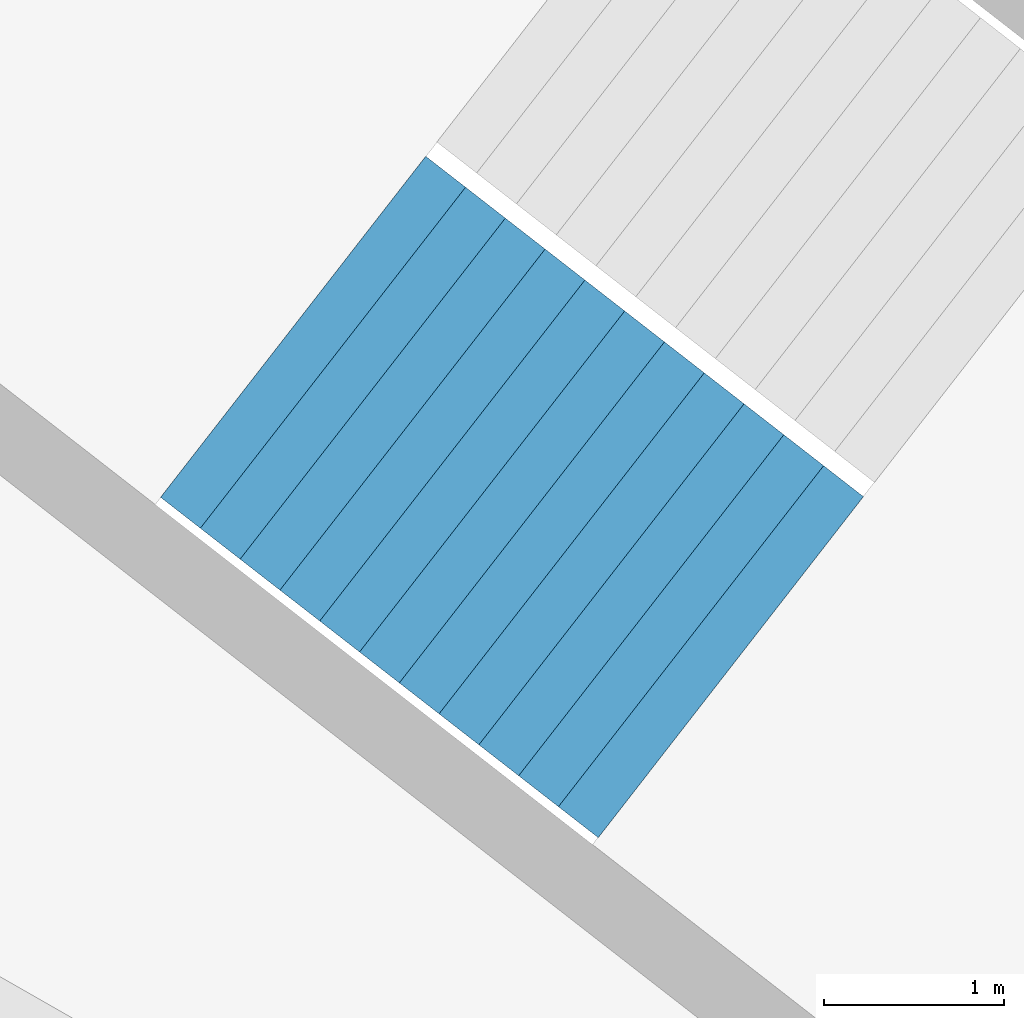
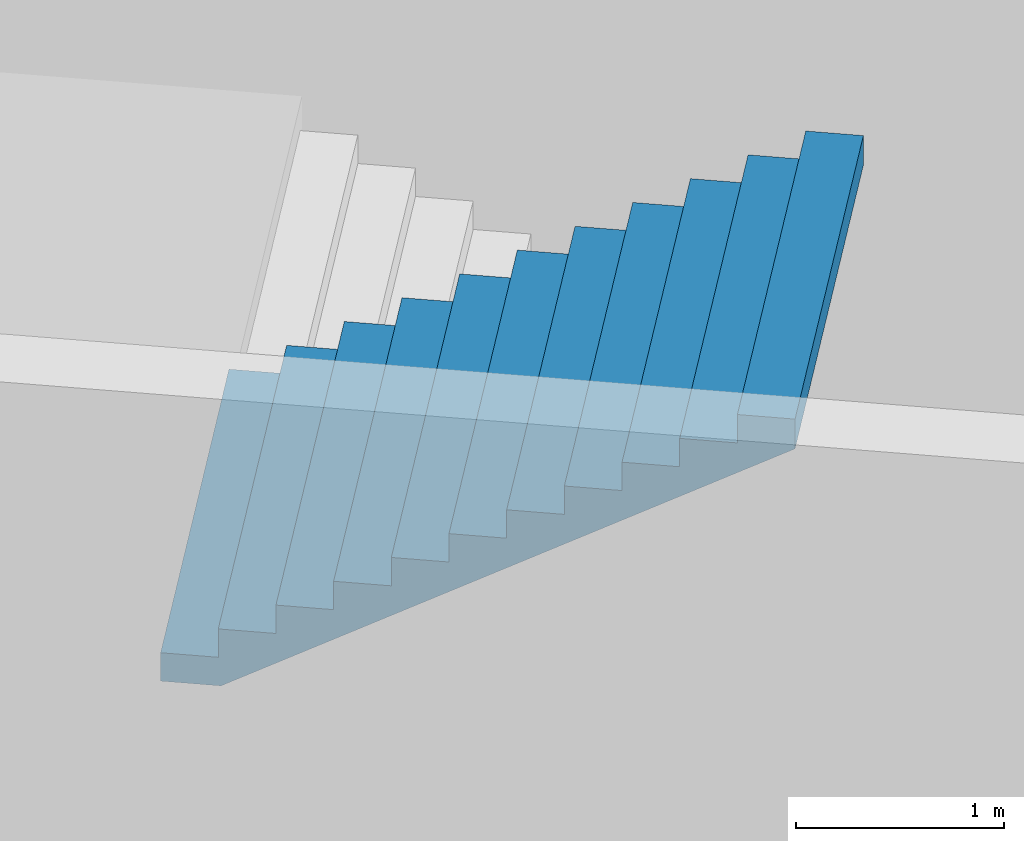
# One storey, part 39 of 74: 1 stair flight, 1 element without a shape of its own.
"""IFC4 building model written with IfcOpenShell, lengths in metres."""

import ifcopenshell
import ifcopenshell.guid

model = None  # the IFC model being written
_history = None  # IfcOwnerHistory: only IFC2X3 demands one
_inside = {}  # id of a spatial element -> (the spatial element, [elements in it])
_under = {}  # id of a project, library or spatial element -> (it, [spatial elements below it])
_declared = {}  # id of a project -> (the project, [libraries it declares])
_typed = {}  # id of a type object -> (the type object, [elements of that type])
_made_of = {}  # id of a material, layer set ... -> (it, [elements and type objects made of it])


def new_model(schema):
    """Start an empty IFC model of exactly this schema.

    Asked for "IFC4X3", IfcOpenShell would pick the latest addendum, in which some entities
    have other attributes; the version numbers below select the first issue.
    IFC2X3 requires an IfcOwnerHistory on every rooted entity: one is made here for all.
    """
    global model, _history
    if schema == "IFC4X3":
        model = ifcopenshell.file(schema_version=(4, 3, 0, 0))
    else:
        model = ifcopenshell.file(schema=schema)
    _inside.clear()
    _under.clear()
    _declared.clear()
    _typed.clear()
    _made_of.clear()
    _history = None
    if model.schema == "IFC2X3":
        org = make("IfcOrganization", Name="unknown")
        user = make(
            "IfcPersonAndOrganization",
            ThePerson=make("IfcPerson", FamilyName="unknown"),
            TheOrganization=org,
        )
        app = make(
            "IfcApplication",
            ApplicationDeveloper=org,
            Version="unknown",
            ApplicationFullName="unknown",
            ApplicationIdentifier="unknown",
        )
        _history = make(
            "IfcOwnerHistory",
            OwningUser=user,
            OwningApplication=app,
            ChangeAction="ADDED",
            CreationDate=0,
        )
    return model


def make(cls, **values):
    """One entity of the class cls with the attributes given. An attribute that is None is left unset."""
    return model.create_entity(
        cls, **{name: value for name, value in values.items() if value is not None}
    )


def rooted(cls, **values):
    """An entity with a GlobalId (a new one), such as an element, a storey or a relation."""
    return make(cls, GlobalId=ifcopenshell.guid.new(), OwnerHistory=_history, **values)


def si_unit(unit_type, name, prefix=None):
    """IfcSIUnit, for example si_unit("LENGTHUNIT", "METRE", prefix="MILLI")."""
    return make("IfcSIUnit", UnitType=unit_type, Prefix=prefix, Name=name)


def assignment(units):
    """IfcUnitAssignment: the units of a project."""
    return None if units is None else make("IfcUnitAssignment", Units=units)


def point(xyz):
    """IfcCartesianPoint."""
    return None if xyz is None else make("IfcCartesianPoint", Coordinates=xyz)


def direction(xyz):
    """IfcDirection."""
    return None if xyz is None else make("IfcDirection", DirectionRatios=xyz)


def frame(location, z_axis=None, x_axis=None):
    """IfcAxis2Placement3D, a coordinate frame: its origin and axes. An axis left out is left unset."""
    return make(
        "IfcAxis2Placement3D",
        Location=point(location),
        Axis=direction(z_axis),
        RefDirection=direction(x_axis),
    )


def origin():
    """The frame at (0, 0, 0) with its axes left unset."""
    return frame((0.0, 0.0, 0.0))


def place(relative_to, where):
    """IfcLocalPlacement: puts the frame where relative to a parent placement (None: the world)."""
    return make(
        "IfcLocalPlacement", PlacementRelTo=relative_to, RelativePlacement=where
    )


def context(
    kind, dimensions, precision=None, world=None, true_north=None, identifier=None
):
    """IfcGeometricRepresentationContext, for example the 3D "Model" context."""
    return make(
        "IfcGeometricRepresentationContext",
        ContextIdentifier=identifier,
        ContextType=kind,
        CoordinateSpaceDimension=dimensions,
        Precision=precision,
        WorldCoordinateSystem=world,
        TrueNorth=true_north,
    )


def subcontext(parent, identifier, kind, view, scale=None):
    """IfcGeometricRepresentationSubContext, for example "Body" below "Model"."""
    return make(
        "IfcGeometricRepresentationSubContext",
        ContextIdentifier=identifier,
        ContextType=kind,
        ParentContext=parent,
        TargetScale=scale,
        TargetView=view,
    )


def project(units=None, contexts=None):
    """IfcProject with its units and contexts."""
    return rooted(
        "IfcProject",
        Name="project",
        RepresentationContexts=contexts,
        UnitsInContext=assignment(units),
    )


def spatial(cls, under=None, at=None, **own):
    """A site, building, storey or space (cls), placed at a placement, below another one or the project."""
    s = rooted(cls, ObjectPlacement=at, **own)
    if under is not None:
        _under.setdefault(under.id(), (under, []))[1].append(s)
    return s


def point_list(points):
    """IfcCartesianPointList2D or 3D."""
    cls = (
        "IfcCartesianPointList2D" if len(points[0]) == 2 else "IfcCartesianPointList3D"
    )
    return make(cls, CoordList=points)


def triangles(points, corners, closed=None, point_numbers=None):
    """IfcTriangulatedFaceSet: each triangle names its three corners, points numbered from 1."""
    return make(
        "IfcTriangulatedFaceSet",
        Coordinates=point_list(points),
        Closed=closed,
        CoordIndex=corners,
        PnIndex=point_numbers,
    )


def shape(context_of_items, identifier, shape_type, items):
    """IfcShapeRepresentation: the items that make up one representation, for example the "Body"."""
    return make(
        "IfcShapeRepresentation",
        ContextOfItems=context_of_items,
        RepresentationIdentifier=identifier,
        RepresentationType=shape_type,
        Items=items,
    )


def material(Name=None, Category=None):
    """IfcMaterial."""
    return make("IfcMaterial", Name=Name, Category=Category)


def made_of(thing, what):
    """Note that an element or type object is made of a material, layer set ...; save() writes the relation."""
    if what is not None:
        _made_of.setdefault(what.id(), (what, []))[1].append(thing)
    return thing


def type_object(cls, material=None, **own):
    """A type object (cls), such as IfcWallType, which elements share."""
    return made_of(rooted(cls, **own), material)


def element(
    cls,
    number,
    at=None,
    inside=None,
    cuts=None,
    type_object=None,
    material=None,
    context=None,
    identifier="Body",
    shape_type=None,
    held_by="IfcProductDefinitionShape",
    body=None,
    shapes=None,
    **own,
):
    """One element of the class cls, such as IfcWall. Its Tag is "e" and its number.

    at: its placement. inside: the storey or other place that contains it. cuts: it is an
    opening in that element (IfcRelVoidsElement). A single representation is given by context,
    identifier, shape_type and body (its items); several are given by shapes. held_by: the class
    of the entity that holds the representations. save() writes the other relations.
    """
    e = rooted(cls, Tag="e%d" % number, ObjectPlacement=at, **own)
    if body is not None:
        shapes = [shape(context, identifier, shape_type, body)]
    if shapes is not None:
        e.Representation = make(held_by, Representations=shapes)
    if inside is not None:
        _inside.setdefault(inside.id(), (inside, []))[1].append(e)
    if cuts is not None:
        rooted(
            "IfcRelVoidsElement", RelatingBuildingElement=cuts, RelatedOpeningElement=e
        )
    if type_object is not None:
        _typed.setdefault(type_object.id(), (type_object, []))[1].append(e)
    return made_of(e, material)


def aggregate(whole, parts):
    """IfcRelAggregates: a whole, such as a stair, and the parts it consists of."""
    return rooted("IfcRelAggregates", RelatingObject=whole, RelatedObjects=parts)


def save(model, path):
    """Write the relations noted so far, then the file.

    IfcRelAggregates (storeys below a building ...), IfcRelContainedInSpatialStructure (elements
    in a storey), IfcRelDefinesByType, IfcRelAssociatesMaterial and IfcRelDeclares: one each for
    every whole, place, type object, material and project.
    """
    for whole, parts in _under.values():
        aggregate(whole, parts)
    for where, things in _inside.values():
        rooted(
            "IfcRelContainedInSpatialStructure",
            RelatedElements=things,
            RelatingStructure=where,
        )
    for kind, things in _typed.values():
        rooted("IfcRelDefinesByType", RelatedObjects=things, RelatingType=kind)
    for what, things in _made_of.values():
        rooted("IfcRelAssociatesMaterial", RelatedObjects=things, RelatingMaterial=what)
    for by, libraries in _declared.values():
        rooted("IfcRelDeclares", RelatingContext=by, RelatedDefinitions=libraries)
    model.write(path)


model = new_model("IFC4")

# Units and contexts
model_context = context("Model", 3, precision=1e-05, world=origin(), true_north=direction((0.0, 1.0)))
body_context = subcontext(model_context, "Body", "Model", "MODEL_VIEW")
ifc_project = project(units=[si_unit("LENGTHUNIT", "METRE"), si_unit("AREAUNIT", "SQUARE_METRE"), si_unit("VOLUMEUNIT", "CUBIC_METRE"), si_unit("PLANEANGLEUNIT", "RADIAN"), si_unit("MASSUNIT", "GRAM", prefix="KILO")], contexts=[model_context])

# Site, building, storey
site_placement = place(None, origin())
site = spatial("IfcSite", under=ifc_project, at=site_placement, CompositionType="ELEMENT")
building_placement = place(site_placement, origin())
building = spatial("IfcBuilding", under=site, at=building_placement, Name="Lantaw Convention Tower", CompositionType="ELEMENT")
storey_placement = place(building_placement, frame((0.0, 0.0, 6.5)))
storey = spatial("IfcBuildingStorey", under=building, at=storey_placement, Name="L01", CompositionType="ELEMENT", Elevation=6.5)

# Stair, stair flight
ifc_material = material(Name="Concrete C35/45", Category="concrete")
stair_type = type_object("IfcStairType", Name="Exit stair 2400 riser 166.67 in 4 flights", PredefinedType="HALF_TURN_STAIR", material=ifc_material)
stair_placement = place(storey_placement, origin())
stair = element("IfcStair", 1, at=stair_placement, inside=storey, type_object=stair_type, Name="Podium exit stair P7 L01", PredefinedType="HALF_TURN_STAIR")
stair_flight_type = type_object("IfcStairFlightType", Name="Stair flight 2400 riser 166.67", PredefinedType="STRAIGHT", material=ifc_material)
stair_flight_placement = place(storey_placement, frame((-31.92578125, 23.245361328125, 6.0), z_axis=(0.0, 0.0, 1.0), x_axis=(0.789378829664, -0.613906396186, 0.0)))
stair_flight = element("IfcStairFlight", 2, at=stair_flight_placement, type_object=stair_flight_type, Name="P7 flight 4", NumberOfRisers=12, NumberOfTreads=11, PredefinedType="STRAIGHT", RiserHeight=0.166666667, TreadLength=0.28, context=body_context, shape_type="Tessellation", body=[
    triangles([(0.0, 1.199951171875, 0.0), (0.0, 1.199951171875, 0.166666667), (0.28, 1.199951171875, 0.0), (0.28, 1.199951171875, 0.166666667), (0.28, 1.199951171875, 0.333333334), (0.29307345806906726, 1.199951171875, 0.0), (0.29307345806906726, 1.199951171875, 0.333333334), (0.56, 1.199951171875, 0.15888484670522965), (0.56, 1.199951171875, 0.333333334), (0.56, 1.199951171875, 0.500000001), (0.8400000000000001, 1.199951171875, 0.3255515137052296), (0.8400000000000001, 1.199951171875, 0.500000001), (0.8400000000000001, 1.199951171875, 0.666666668), (1.12, 1.199951171875, 0.4922181807052296), (1.12, 1.199951171875, 0.666666668), (1.12, 1.199951171875, 0.833333335), (1.4000000000000001, 1.199951171875, 0.6588848477052296), (1.4000000000000001, 1.199951171875, 0.833333335), (1.4000000000000001, 1.199951171875, 1.000000002), (1.6800000000000002, 1.199951171875, 0.8255515147052296), (1.6800000000000002, 1.199951171875, 1.000000002), (1.6800000000000002, 1.199951171875, 1.166666669), (1.9600000000000002, 1.199951171875, 0.9922181817052296), (1.9600000000000002, 1.199951171875, 1.166666669), (1.9600000000000002, 1.199951171875, 1.333333336), (2.24, 1.199951171875, 1.1588848487052295), (2.24, 1.199951171875, 1.333333336), (2.24, 1.199951171875, 1.5000000029999998), (2.5200000000000005, 1.199951171875, 1.3255515157052296), (2.5200000000000005, 1.199951171875, 1.5000000029999998), (2.5200000000000005, 1.199951171875, 1.66666667), (2.8000000000000003, 1.199951171875, 1.4922181827052294), (2.8000000000000003, 1.199951171875, 1.66666667), (2.8000000000000003, 1.199951171875, 1.833333337), (3.08, 1.199951171875, 1.6588848497052293), (3.08, 1.199951171875, 1.833333337), (0.0, -1.199951171875, 0.0), (0.0, -1.199951171875, 0.166666667), (0.28, -1.199951171875, 0.0), (0.28, -1.199951171875, 0.166666667), (0.28, -1.199951171875, 0.333333334), (0.29307345806906726, -1.199951171875, 0.0), (0.29307345806906726, -1.199951171875, 0.333333334), (0.56, -1.199951171875, 0.15888484670522965), (0.56, -1.199951171875, 0.333333334), (0.56, -1.199951171875, 0.500000001), (0.8400000000000001, -1.199951171875, 0.3255515137052296), (0.8400000000000001, -1.199951171875, 0.500000001), (0.8400000000000001, -1.199951171875, 0.666666668), (1.12, -1.199951171875, 0.4922181807052296), (1.12, -1.199951171875, 0.666666668), (1.12, -1.199951171875, 0.833333335), (1.4000000000000001, -1.199951171875, 0.6588848477052296), (1.4000000000000001, -1.199951171875, 0.833333335), (1.4000000000000001, -1.199951171875, 1.000000002), (1.6800000000000002, -1.199951171875, 0.8255515147052296), (1.6800000000000002, -1.199951171875, 1.000000002), (1.6800000000000002, -1.199951171875, 1.166666669), (1.9600000000000002, -1.199951171875, 0.9922181817052296), (1.9600000000000002, -1.199951171875, 1.166666669), (1.9600000000000002, -1.199951171875, 1.333333336), (2.24, -1.199951171875, 1.1588848487052295), (2.24, -1.199951171875, 1.333333336), (2.24, -1.199951171875, 1.5000000029999998), (2.5200000000000005, -1.199951171875, 1.3255515157052296), (2.5200000000000005, -1.199951171875, 1.5000000029999998), (2.5200000000000005, -1.199951171875, 1.66666667), (2.8000000000000003, -1.199951171875, 1.4922181827052294), (2.8000000000000003, -1.199951171875, 1.66666667), (2.8000000000000003, -1.199951171875, 1.833333337), (3.08, -1.199951171875, 1.6588848497052293), (3.08, -1.199951171875, 1.833333337), (0.0, 0.239990234375, 0.166666667), (0.0, 0.239990234375, 0.0), (0.0, 0.1199951171875, 0.166666667), (0.0, 0.1199951171875, 0.0), (0.0, 0.0, 0.166666667), (0.0, 0.0, 0.0), (0.0, -0.1199951171875, 0.166666667), (0.0, -0.1199951171875, 0.0), (0.0, -0.239990234375, 0.166666667), (0.0, -0.239990234375, 0.0), (0.28, 0.239990234375, 0.333333334), (0.28, 0.239990234375, 0.166666667), (0.28, 0.1199951171875, 0.333333334), (0.28, 0.1199951171875, 0.166666667), (0.28, 0.0, 0.333333334), (0.28, 0.0, 0.166666667), (0.28, -0.1199951171875, 0.333333334), (0.28, -0.1199951171875, 0.166666667), (0.28, -0.239990234375, 0.333333334), (0.28, -0.239990234375, 0.166666667), (0.56, 0.239990234375, 0.500000001), (0.56, 0.239990234375, 0.333333334), (0.56, 0.1199951171875, 0.500000001), (0.56, 0.1199951171875, 0.333333334), (0.56, 0.0, 0.500000001), (0.56, 0.0, 0.333333334), (0.56, -0.1199951171875, 0.500000001), (0.56, -0.1199951171875, 0.333333334), (0.56, -0.239990234375, 0.500000001), (0.56, -0.239990234375, 0.333333334), (0.8400000000000001, 0.239990234375, 0.666666668), (0.8400000000000001, 0.239990234375, 0.500000001), (0.8400000000000001, 0.1199951171875, 0.666666668), (0.8400000000000001, 0.1199951171875, 0.500000001), (0.8400000000000001, 0.0, 0.666666668), (0.8400000000000001, 0.0, 0.500000001), (0.8400000000000001, -0.1199951171875, 0.666666668), (0.8400000000000001, -0.1199951171875, 0.500000001), (0.8400000000000001, -0.239990234375, 0.666666668), (0.8400000000000001, -0.239990234375, 0.500000001), (1.12, 0.239990234375, 0.833333335), (1.12, 0.239990234375, 0.666666668), (1.12, 0.1199951171875, 0.833333335), (1.12, 0.1199951171875, 0.666666668), (1.12, 0.0, 0.833333335), (1.12, 0.0, 0.666666668), (1.12, -0.1199951171875, 0.833333335), (1.12, -0.1199951171875, 0.666666668), (1.12, -0.239990234375, 0.833333335), (1.12, -0.239990234375, 0.666666668), (1.4000000000000001, 0.239990234375, 1.000000002), (1.4000000000000001, 0.239990234375, 0.833333335), (1.4000000000000001, 0.1199951171875, 1.000000002), (1.4000000000000001, 0.1199951171875, 0.833333335), (1.4000000000000001, 0.0, 1.000000002), (1.4000000000000001, 0.0, 0.833333335), (1.4000000000000001, -0.1199951171875, 1.000000002), (1.4000000000000001, -0.1199951171875, 0.833333335), (1.4000000000000001, -0.239990234375, 1.000000002), (1.4000000000000001, -0.239990234375, 0.833333335), (1.6800000000000002, 0.239990234375, 1.166666669), (1.6800000000000002, 0.239990234375, 1.000000002), (1.6800000000000002, 0.1199951171875, 1.166666669), (1.6800000000000002, 0.1199951171875, 1.000000002), (1.6800000000000002, 0.0, 1.166666669), (1.6800000000000002, 0.0, 1.000000002), (1.6800000000000002, -0.1199951171875, 1.166666669), (1.6800000000000002, -0.1199951171875, 1.000000002), (1.6800000000000002, -0.239990234375, 1.166666669), (1.6800000000000002, -0.239990234375, 1.000000002), (1.9600000000000002, 0.239990234375, 1.333333336), (1.9600000000000002, 0.239990234375, 1.166666669), (1.9600000000000002, 0.1199951171875, 1.333333336), (1.9600000000000002, 0.1199951171875, 1.166666669), (1.9600000000000002, 0.0, 1.333333336), (1.9600000000000002, 0.0, 1.166666669), (1.9600000000000002, -0.1199951171875, 1.333333336), (1.9600000000000002, -0.1199951171875, 1.166666669), (1.9600000000000002, -0.239990234375, 1.333333336), (1.9600000000000002, -0.239990234375, 1.166666669), (2.24, 0.239990234375, 1.5000000029999998), (2.24, 0.239990234375, 1.333333336), (2.24, 0.1199951171875, 1.5000000029999998), (2.24, 0.1199951171875, 1.333333336), (2.24, 0.0, 1.5000000029999998), (2.24, 0.0, 1.333333336), (2.24, -0.1199951171875, 1.5000000029999998), (2.24, -0.1199951171875, 1.333333336), (2.24, -0.239990234375, 1.5000000029999998), (2.24, -0.239990234375, 1.333333336), (2.5200000000000005, 0.239990234375, 1.66666667), (2.5200000000000005, 0.239990234375, 1.5000000029999998), (2.5200000000000005, 0.1199951171875, 1.66666667), (2.5200000000000005, 0.1199951171875, 1.5000000029999998), (2.5200000000000005, 0.0, 1.66666667), (2.5200000000000005, 0.0, 1.5000000029999998), (2.5200000000000005, -0.1199951171875, 1.66666667), (2.5200000000000005, -0.1199951171875, 1.5000000029999998), (2.5200000000000005, -0.239990234375, 1.66666667), (2.5200000000000005, -0.239990234375, 1.5000000029999998), (2.8000000000000003, 0.239990234375, 1.833333337), (2.8000000000000003, 0.239990234375, 1.66666667), (2.8000000000000003, 0.1199951171875, 1.833333337), (2.8000000000000003, 0.1199951171875, 1.66666667), (2.8000000000000003, 0.0, 1.833333337), (2.8000000000000003, 0.0, 1.66666667), (2.8000000000000003, -0.1199951171875, 1.833333337), (2.8000000000000003, -0.1199951171875, 1.66666667), (2.8000000000000003, -0.239990234375, 1.833333337), (2.8000000000000003, -0.239990234375, 1.66666667), (0.29307345806906726, 0.239990234375, 0.333333334), (0.29307345806906726, 0.1199951171875, 0.333333334), (0.29307345806906726, 0.0, 0.333333334), (0.29307345806906726, -0.1199951171875, 0.333333334), (0.29307345806906726, -0.239990234375, 0.333333334), (3.08, 0.239990234375, 1.833333337), (3.08, 0.1199951171875, 1.833333337), (3.08, 0.0, 1.833333337), (3.08, -0.1199951171875, 1.833333337), (3.08, -0.239990234375, 1.833333337), (3.08, 0.239990234375, 1.6588848497052293), (3.08, 0.1199951171875, 1.6588848497052293), (3.08, 0.0, 1.6588848497052293), (3.08, -0.1199951171875, 1.6588848497052293), (3.08, -0.239990234375, 1.6588848497052293), (2.8000000000000003, 0.239990234375, 1.4922181827052294), (2.8000000000000003, 0.1199951171875, 1.4922181827052294), (2.8000000000000003, 0.0, 1.4922181827052294), (2.8000000000000003, -0.1199951171875, 1.4922181827052294), (2.8000000000000003, -0.239990234375, 1.4922181827052294), (2.5200000000000005, 0.239990234375, 1.3255515157052296), (2.5200000000000005, 0.1199951171875, 1.3255515157052296), (2.5200000000000005, 0.0, 1.3255515157052296), (2.5200000000000005, -0.1199951171875, 1.3255515157052296), (2.5200000000000005, -0.239990234375, 1.3255515157052296), (2.24, 0.239990234375, 1.1588848487052295), (2.24, 0.1199951171875, 1.1588848487052295), (2.24, 0.0, 1.1588848487052295), (2.24, -0.1199951171875, 1.1588848487052295), (2.24, -0.239990234375, 1.1588848487052295), (1.9600000000000002, 0.239990234375, 0.9922181817052296), (1.9600000000000002, 0.1199951171875, 0.9922181817052296), (1.9600000000000002, 0.0, 0.9922181817052296), (1.9600000000000002, -0.1199951171875, 0.9922181817052296), (1.9600000000000002, -0.239990234375, 0.9922181817052296), (1.6800000000000002, 0.239990234375, 0.8255515147052296), (1.6800000000000002, 0.1199951171875, 0.8255515147052296), (1.6800000000000002, 0.0, 0.8255515147052296), (1.6800000000000002, -0.1199951171875, 0.8255515147052296), (1.6800000000000002, -0.239990234375, 0.8255515147052296), (1.4000000000000001, 0.239990234375, 0.6588848477052296), (1.4000000000000001, 0.1199951171875, 0.6588848477052296), (1.4000000000000001, 0.0, 0.6588848477052296), (1.4000000000000001, -0.1199951171875, 0.6588848477052296), (1.4000000000000001, -0.239990234375, 0.6588848477052296), (1.12, 0.239990234375, 0.4922181807052296), (1.12, 0.1199951171875, 0.4922181807052296), (1.12, 0.0, 0.4922181807052296), (1.12, -0.1199951171875, 0.4922181807052296), (1.12, -0.239990234375, 0.4922181807052296), (0.8400000000000001, 0.239990234375, 0.3255515137052296), (0.8400000000000001, 0.1199951171875, 0.3255515137052296), (0.8400000000000001, 0.0, 0.3255515137052296), (0.8400000000000001, -0.1199951171875, 0.3255515137052296), (0.8400000000000001, -0.239990234375, 0.3255515137052296), (0.56, 0.239990234375, 0.15888484670522965), (0.56, 0.1199951171875, 0.15888484670522965), (0.56, 0.0, 0.15888484670522965), (0.56, -0.1199951171875, 0.15888484670522965), (0.56, -0.239990234375, 0.15888484670522965), (0.29307345806906726, 0.239990234375, 0.0), (0.29307345806906726, 0.1199951171875, 0.0), (0.29307345806906726, 0.0, 0.0), (0.29307345806906726, -0.1199951171875, 0.0), (0.29307345806906726, -0.239990234375, 0.0), (0.28, 0.239990234375, 0.0), (0.28, 0.1199951171875, 0.0), (0.28, 0.0, 0.0), (0.28, -0.1199951171875, 0.0), (0.28, -0.239990234375, 0.0)], [[1, 4, 3], [1, 2, 4], [3, 4, 6], [4, 7, 6], [4, 5, 7], [6, 9, 8], [6, 7, 9], [8, 9, 11], [9, 12, 11], [9, 10, 12], [11, 12, 14], [12, 15, 14], [12, 13, 15], [14, 15, 17], [15, 18, 17], [15, 16, 18], [17, 18, 20], [18, 21, 20], [18, 19, 21], [20, 21, 23], [21, 24, 23], [21, 22, 24], [23, 24, 26], [24, 27, 26], [24, 25, 27], [26, 27, 29], [27, 30, 29], [27, 28, 30], [29, 30, 32], [30, 33, 32], [30, 31, 33], [32, 33, 35], [33, 36, 35], [33, 34, 36], [37, 39, 40], [37, 40, 38], [39, 42, 40], [40, 42, 43], [40, 43, 41], [42, 44, 45], [42, 45, 43], [44, 47, 45], [45, 47, 48], [45, 48, 46], [47, 50, 48], [48, 50, 51], [48, 51, 49], [50, 53, 51], [51, 53, 54], [51, 54, 52], [53, 56, 54], [54, 56, 57], [54, 57, 55], [56, 59, 57], [57, 59, 60], [57, 60, 58], [59, 62, 60], [60, 62, 63], [60, 63, 61], [62, 65, 63], [63, 65, 66], [63, 66, 64], [65, 68, 66], [66, 68, 69], [66, 69, 67], [68, 71, 69], [69, 71, 72], [69, 72, 70], [1, 73, 2], [1, 74, 73], [74, 75, 73], [74, 76, 75], [76, 77, 75], [76, 78, 77], [78, 79, 77], [78, 80, 79], [80, 81, 79], [80, 82, 81], [82, 38, 81], [82, 37, 38], [4, 83, 5], [4, 84, 83], [84, 85, 83], [84, 86, 85], [86, 87, 85], [86, 88, 87], [88, 89, 87], [88, 90, 89], [90, 91, 89], [90, 92, 91], [92, 41, 91], [92, 40, 41], [9, 93, 10], [9, 94, 93], [94, 95, 93], [94, 96, 95], [96, 97, 95], [96, 98, 97], [98, 99, 97], [98, 100, 99], [100, 101, 99], [100, 102, 101], [102, 46, 101], [102, 45, 46], [12, 103, 13], [12, 104, 103], [104, 105, 103], [104, 106, 105], [106, 107, 105], [106, 108, 107], [108, 109, 107], [108, 110, 109], [110, 111, 109], [110, 112, 111], [112, 49, 111], [112, 48, 49], [15, 113, 16], [15, 114, 113], [114, 115, 113], [114, 116, 115], [116, 117, 115], [116, 118, 117], [118, 119, 117], [118, 120, 119], [120, 121, 119], [120, 122, 121], [122, 52, 121], [122, 51, 52], [18, 123, 19], [18, 124, 123], [124, 125, 123], [124, 126, 125], [126, 127, 125], [126, 128, 127], [128, 129, 127], [128, 130, 129], [130, 131, 129], [130, 132, 131], [132, 55, 131], [132, 54, 55], [21, 133, 22], [21, 134, 133], [134, 135, 133], [134, 136, 135], [136, 137, 135], [136, 138, 137], [138, 139, 137], [138, 140, 139], [140, 141, 139], [140, 142, 141], [142, 58, 141], [142, 57, 58], [24, 143, 25], [24, 144, 143], [144, 145, 143], [144, 146, 145], [146, 147, 145], [146, 148, 147], [148, 149, 147], [148, 150, 149], [150, 151, 149], [150, 152, 151], [152, 61, 151], [152, 60, 61], [27, 153, 28], [27, 154, 153], [154, 155, 153], [154, 156, 155], [156, 157, 155], [156, 158, 157], [158, 159, 157], [158, 160, 159], [160, 161, 159], [160, 162, 161], [162, 64, 161], [162, 63, 64], [30, 163, 31], [30, 164, 163], [164, 165, 163], [164, 166, 165], [166, 167, 165], [166, 168, 167], [168, 169, 167], [168, 170, 169], [170, 171, 169], [170, 172, 171], [172, 67, 171], [172, 66, 67], [33, 173, 34], [33, 174, 173], [174, 175, 173], [174, 176, 175], [176, 177, 175], [176, 178, 177], [178, 179, 177], [178, 180, 179], [180, 181, 179], [180, 182, 181], [182, 70, 181], [182, 69, 70], [2, 84, 4], [2, 73, 84], [73, 86, 84], [73, 75, 86], [75, 88, 86], [75, 77, 88], [77, 90, 88], [77, 79, 90], [79, 92, 90], [79, 81, 92], [81, 40, 92], [81, 38, 40], [5, 183, 7], [5, 83, 183], [83, 184, 183], [83, 85, 184], [85, 185, 184], [85, 87, 185], [87, 186, 185], [87, 89, 186], [89, 187, 186], [89, 91, 187], [91, 43, 187], [91, 41, 43], [7, 94, 9], [7, 183, 94], [183, 96, 94], [183, 184, 96], [184, 98, 96], [184, 185, 98], [185, 100, 98], [185, 186, 100], [186, 102, 100], [186, 187, 102], [187, 45, 102], [187, 43, 45], [10, 104, 12], [10, 93, 104], [93, 106, 104], [93, 95, 106], [95, 108, 106], [95, 97, 108], [97, 110, 108], [97, 99, 110], [99, 112, 110], [99, 101, 112], [101, 48, 112], [101, 46, 48], [13, 114, 15], [13, 103, 114], [103, 116, 114], [103, 105, 116], [105, 118, 116], [105, 107, 118], [107, 120, 118], [107, 109, 120], [109, 122, 120], [109, 111, 122], [111, 51, 122], [111, 49, 51], [16, 124, 18], [16, 113, 124], [113, 126, 124], [113, 115, 126], [115, 128, 126], [115, 117, 128], [117, 130, 128], [117, 119, 130], [119, 132, 130], [119, 121, 132], [121, 54, 132], [121, 52, 54], [19, 134, 21], [19, 123, 134], [123, 136, 134], [123, 125, 136], [125, 138, 136], [125, 127, 138], [127, 140, 138], [127, 129, 140], [129, 142, 140], [129, 131, 142], [131, 57, 142], [131, 55, 57], [22, 144, 24], [22, 133, 144], [133, 146, 144], [133, 135, 146], [135, 148, 146], [135, 137, 148], [137, 150, 148], [137, 139, 150], [139, 152, 150], [139, 141, 152], [141, 60, 152], [141, 58, 60], [25, 154, 27], [25, 143, 154], [143, 156, 154], [143, 145, 156], [145, 158, 156], [145, 147, 158], [147, 160, 158], [147, 149, 160], [149, 162, 160], [149, 151, 162], [151, 63, 162], [151, 61, 63], [28, 164, 30], [28, 153, 164], [153, 166, 164], [153, 155, 166], [155, 168, 166], [155, 157, 168], [157, 170, 168], [157, 159, 170], [159, 172, 170], [159, 161, 172], [161, 66, 172], [161, 64, 66], [31, 174, 33], [31, 163, 174], [163, 176, 174], [163, 165, 176], [165, 178, 176], [165, 167, 178], [167, 180, 178], [167, 169, 180], [169, 182, 180], [169, 171, 182], [171, 69, 182], [171, 67, 69], [34, 188, 36], [34, 173, 188], [173, 189, 188], [173, 175, 189], [175, 190, 189], [175, 177, 190], [177, 191, 190], [177, 179, 191], [179, 192, 191], [179, 181, 192], [181, 72, 192], [181, 70, 72], [36, 193, 35], [36, 188, 193], [188, 194, 193], [188, 189, 194], [189, 195, 194], [189, 190, 195], [190, 196, 195], [190, 191, 196], [191, 197, 196], [191, 192, 197], [192, 71, 197], [192, 72, 71], [35, 198, 32], [35, 193, 198], [193, 199, 198], [193, 194, 199], [194, 200, 199], [194, 195, 200], [195, 201, 200], [195, 196, 201], [196, 202, 201], [196, 197, 202], [197, 68, 202], [197, 71, 68], [32, 203, 29], [32, 198, 203], [198, 204, 203], [198, 199, 204], [199, 205, 204], [199, 200, 205], [200, 206, 205], [200, 201, 206], [201, 207, 206], [201, 202, 207], [202, 65, 207], [202, 68, 65], [29, 208, 26], [29, 203, 208], [203, 209, 208], [203, 204, 209], [204, 210, 209], [204, 205, 210], [205, 211, 210], [205, 206, 211], [206, 212, 211], [206, 207, 212], [207, 62, 212], [207, 65, 62], [26, 213, 23], [26, 208, 213], [208, 214, 213], [208, 209, 214], [209, 215, 214], [209, 210, 215], [210, 216, 215], [210, 211, 216], [211, 217, 216], [211, 212, 217], [212, 59, 217], [212, 62, 59], [23, 218, 20], [23, 213, 218], [213, 219, 218], [213, 214, 219], [214, 220, 219], [214, 215, 220], [215, 221, 220], [215, 216, 221], [216, 222, 221], [216, 217, 222], [217, 56, 222], [217, 59, 56], [20, 223, 17], [20, 218, 223], [218, 224, 223], [218, 219, 224], [219, 225, 224], [219, 220, 225], [220, 226, 225], [220, 221, 226], [221, 227, 226], [221, 222, 227], [222, 53, 227], [222, 56, 53], [17, 228, 14], [17, 223, 228], [223, 229, 228], [223, 224, 229], [224, 230, 229], [224, 225, 230], [225, 231, 230], [225, 226, 231], [226, 232, 231], [226, 227, 232], [227, 50, 232], [227, 53, 50], [14, 233, 11], [14, 228, 233], [228, 234, 233], [228, 229, 234], [229, 235, 234], [229, 230, 235], [230, 236, 235], [230, 231, 236], [231, 237, 236], [231, 232, 237], [232, 47, 237], [232, 50, 47], [11, 238, 8], [11, 233, 238], [233, 239, 238], [233, 234, 239], [234, 240, 239], [234, 235, 240], [235, 241, 240], [235, 236, 241], [236, 242, 241], [236, 237, 242], [237, 44, 242], [237, 47, 44], [8, 243, 6], [8, 238, 243], [238, 244, 243], [238, 239, 244], [239, 245, 244], [239, 240, 245], [240, 246, 245], [240, 241, 246], [241, 247, 246], [241, 242, 247], [242, 42, 247], [242, 44, 42], [6, 248, 3], [6, 243, 248], [243, 249, 248], [243, 244, 249], [244, 250, 249], [244, 245, 250], [245, 251, 250], [245, 246, 251], [246, 252, 251], [246, 247, 252], [247, 39, 252], [247, 42, 39], [3, 74, 1], [3, 248, 74], [248, 76, 74], [248, 249, 76], [249, 78, 76], [249, 250, 78], [250, 80, 78], [250, 251, 80], [251, 82, 80], [251, 252, 82], [252, 37, 82], [252, 39, 37]], closed=True),
])
aggregate(stair, [stair_flight])

save(model, "model.ifc")
